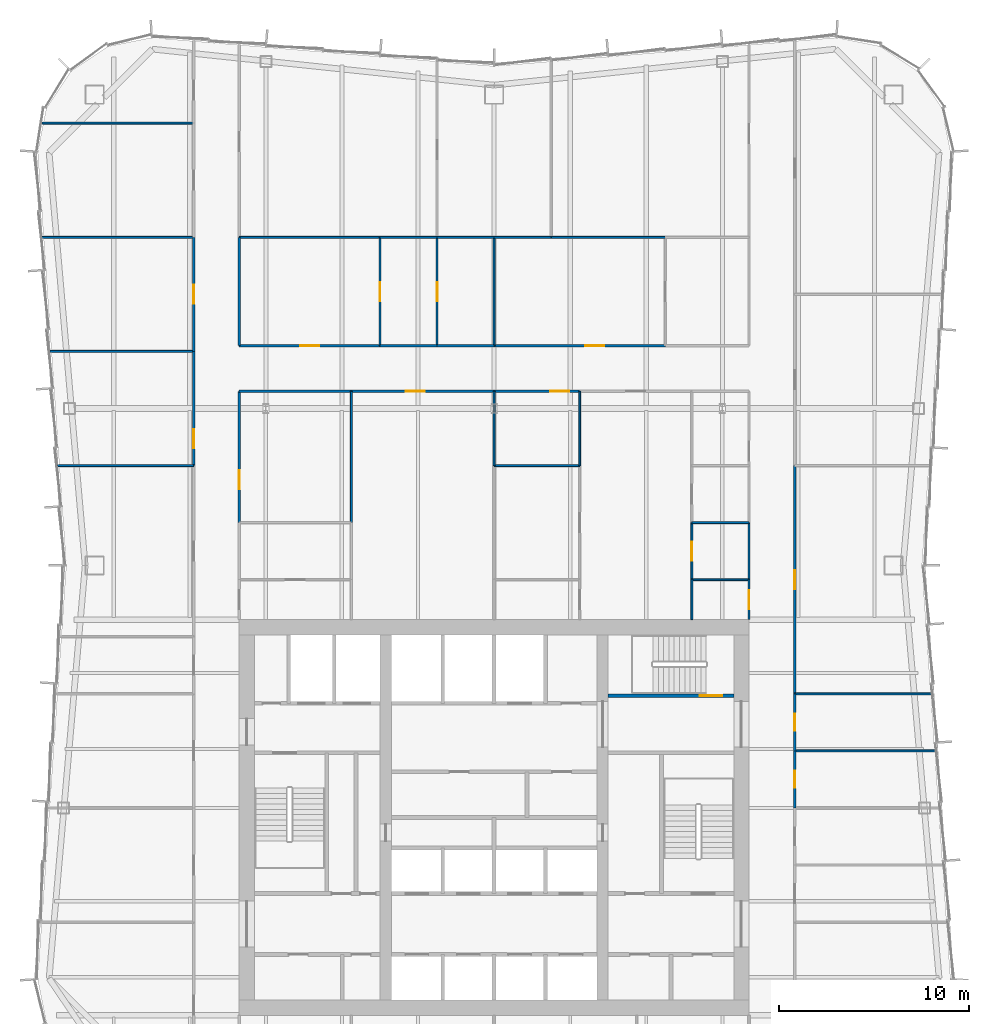
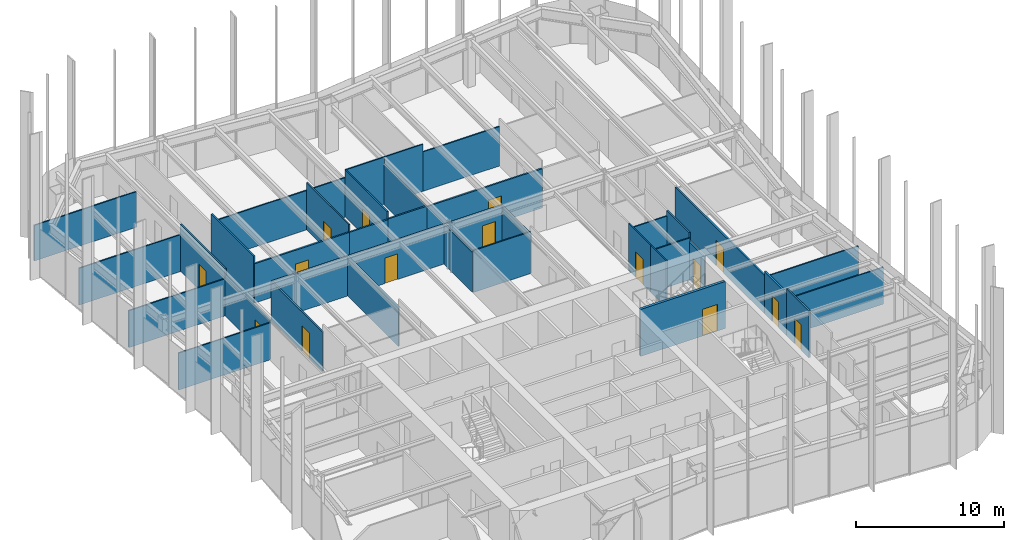
# One storey, part 13 of 15: 39 walls, 15 doors, 15 openings.
"""IFC4 building model written with IfcOpenShell, lengths in metres."""

from ifc_helpers import new_model, si_unit, direction, frame, frame_2d, origin, place, context, subcontext, project, spatial, rectangle, extrude, material, layer, layer_set, type_object, element, fill, save


model = new_model("IFC4")

# Units and contexts
model_context = context("Model", 3, precision=1e-05, world=origin(), true_north=direction((0.0, 1.0)))
body_context = subcontext(model_context, "Body", "Model", "MODEL_VIEW")
ifc_project = project(units=[si_unit("LENGTHUNIT", "METRE"), si_unit("AREAUNIT", "SQUARE_METRE"), si_unit("VOLUMEUNIT", "CUBIC_METRE"), si_unit("PLANEANGLEUNIT", "RADIAN"), si_unit("MASSUNIT", "GRAM", prefix="KILO")], contexts=[model_context])

# Site, building, storey
site_placement = place(None, origin())
site = spatial("IfcSite", under=ifc_project, at=site_placement, CompositionType="ELEMENT")
building_placement = place(site_placement, origin())
building = spatial("IfcBuilding", under=site, at=building_placement, Name="Verdant Reach Tower", CompositionType="ELEMENT")
storey_placement = place(building_placement, frame((0.0, 0.0, 262.0)))
storey = spatial("IfcBuildingStorey", under=building, at=storey_placement, Name="L60", CompositionType="ELEMENT", Elevation=262.0)

# Wall, opening, door
ifc_material_1 = material(Name="Concrete C40/50", Category="concrete")
ifc_layer_1 = layer(ifc_material_1, 0.199951171875)
ifc_layer_set_1 = layer_set([ifc_layer_1], Name="CO-WALL-STAIR")
wall_type_1 = type_object("IfcWallType", Name="CO-WALL-STAIR", PredefinedType="PARTITIONING", material=ifc_layer_set_1)
wall_1_placement = place(storey_placement, frame((6.0, 34.39990234375, 0.0), z_axis=(0.0, 0.0, 1.0), x_axis=(1.0, 0.0, 0.0)))
wall_1 = element("IfcWall", 1, at=wall_1_placement, inside=storey, type_object=wall_type_1, Name="Stair enclosure wall, L60", PredefinedType="PARTITIONING", context=body_context, shape_type="SweptSolid", body=[
    extrude(rectangle(XDim=6.60009765625, YDim=0.199951171875, at=frame_2d((3.300048828125, 0.0))), origin(), (0.0, 0.0, 1.0), 3.8701171875),
])
opening_1_placement = place(wall_1_placement, frame((4.800048828125, 0.0, 0.0)))
opening_1 = element("IfcOpeningElement", 2, at=opening_1_placement, cuts=wall_1, Name="Opening SD", PredefinedType="OPENING", context=body_context, shape_type="SweptSolid", body=[
    extrude(rectangle(XDim=1.199951171875, YDim=2.199951171875, at=frame_2d((0.60009765625, 1.10009765625))), frame((0.0, 0.10986328125, 0.0), z_axis=(0.0, -1.0, 0.0), x_axis=(1.0, 0.0, 0.0)), (0.0, 0.0, 1.0), 0.219970703125),
])
ifc_material_2 = material(Name="Steel", Category="steel")
door_type_1 = type_object("IfcDoorType", Name="CO-DOOR-STAIR", OperationType="NOTDEFINED", PredefinedType="DOOR", material=ifc_material_2)
door_1_placement = place(opening_1_placement, origin())
door_1 = element("IfcDoor", 3, at=door_1_placement, inside=storey, type_object=door_type_1, Name="Stair door, L60", OperationType="SINGLE_SWING_RIGHT", OverallHeight=2.199951171875, OverallWidth=1.199951171875, PredefinedType="DOOR", context=body_context, shape_type="SweptSolid", body=[
    extrude(rectangle(XDim=1.199951171875, YDim=2.199951171875, at=frame_2d((0.60009765625, 1.10009765625))), frame((0.0, 0.02490234375, 0.0), z_axis=(0.0, -1.0, 0.0), x_axis=(1.0, 0.0, 0.0)), (0.0, 0.0, 1.0), 0.050048828125),
])
fill(opening_1, door_1)

# Walls
ifc_material_3 = material(Name="Gypsum board on steel studs", Category="steel")
ifc_layer_2 = layer(ifc_material_3, 0.10009765625)
ifc_layer_set_2 = layer_set([ifc_layer_2], Name="FL-W1 Partition 100")
wall_type_2 = type_object("IfcWallType", Name="FL-W1 Partition 100", PredefinedType="PARTITIONING", material=ifc_layer_set_2)
wall_2_placement = place(storey_placement, frame((-15.800048828125, 46.5, 0.0), z_axis=(0.0, 0.0, 1.0), x_axis=(-1.0, 0.0, 0.0)))
element("IfcWall", 4, at=wall_2_placement, inside=storey, type_object=wall_type_2, Name="Partition 60.45", PredefinedType="PARTITIONING", context=body_context, shape_type="SweptSolid", body=[
    extrude(rectangle(XDim=7.14208984375, YDim=0.10009765625, at=frame_2d((3.571044921875, 0.0))), origin(), (0.0, 0.0, 1.0), 3.0400390625),
])
wall_3_placement = place(storey_placement, frame((-15.800048828125, 52.5, 0.0), z_axis=(0.0, 0.0, 1.0), x_axis=(-1.0, 0.0, 0.0)))
element("IfcWall", 5, at=wall_3_placement, inside=storey, type_object=wall_type_2, Name="Partition 60.46", PredefinedType="PARTITIONING", context=body_context, shape_type="SweptSolid", body=[
    extrude(rectangle(XDim=7.555908203125, YDim=0.10009765625, at=frame_2d((3.77783203125, 0.0))), origin(), (0.0, 0.0, 1.0), 3.0400390625),
])
wall_4_placement = place(storey_placement, frame((-15.800048828125, 58.5, 0.0), z_axis=(0.0, 0.0, 1.0), x_axis=(-1.0, 0.0, 0.0)))
element("IfcWall", 6, at=wall_4_placement, inside=storey, type_object=wall_type_2, Name="Partition 60.47", PredefinedType="PARTITIONING", context=body_context, shape_type="SweptSolid", body=[
    extrude(rectangle(XDim=7.9697265625, YDim=0.10009765625, at=frame_2d((3.98486328125, 0.0))), origin(), (0.0, 0.0, 1.0), 3.0400390625),
])
wall_5_placement = place(storey_placement, frame((-15.800048828125, 64.5, 0.0), z_axis=(0.0, 0.0, 1.0), x_axis=(-1.0, 0.0, 0.0)))
element("IfcWall", 7, at=wall_5_placement, inside=storey, type_object=wall_type_2, Name="Partition 60.48", PredefinedType="PARTITIONING", context=body_context, shape_type="SweptSolid", body=[
    extrude(rectangle(XDim=7.9814453125, YDim=0.10009765625, at=frame_2d((3.99072265625, 0.0))), origin(), (0.0, 0.0, 1.0), 2.929931640625),
])
wall_6_placement = place(storey_placement, frame((23.25244140625, 31.5, 0.0), z_axis=(0.0, 0.0, 1.0), x_axis=(-1.0, 0.0, 0.0)))
element("IfcWall", 8, at=wall_6_placement, inside=storey, type_object=wall_type_2, Name="Partition 60.52", PredefinedType="PARTITIONING", context=body_context, shape_type="SweptSolid", body=[
    extrude(rectangle(XDim=7.452392578125, YDim=0.10009765625, at=frame_2d((3.72607421875, 0.0))), origin(), (0.0, 0.0, 1.0), 3.0400390625),
])
wall_7_placement = place(storey_placement, frame((23.04541015625, 34.5, 0.0), z_axis=(0.0, 0.0, 1.0), x_axis=(-1.0, 0.0, 0.0)))
element("IfcWall", 9, at=wall_7_placement, inside=storey, type_object=wall_type_2, Name="Partition 60.53", PredefinedType="PARTITIONING", context=body_context, shape_type="SweptSolid", body=[
    extrude(rectangle(XDim=7.245361328125, YDim=0.10009765625, at=frame_2d((3.62255859375, 0.0))), origin(), (0.0, 0.0, 1.0), 3.0400390625),
])
wall_8_placement = place(storey_placement, frame((-7.5, 43.49609375, 0.0), z_axis=(0.0, 0.0, 1.0), x_axis=(0.0, 1.0, 0.0)))
element("IfcWall", 10, at=wall_8_placement, inside=storey, type_object=wall_type_2, Name="Partition 60.63", PredefinedType="PARTITIONING", context=body_context, shape_type="SweptSolid", body=[
    extrude(rectangle(XDim=6.90380859375, YDim=0.10009765625, at=frame_2d((3.451904296875, 0.0))), origin(), (0.0, 0.0, 1.0), 3.239990234375),
])
wall_9_placement = place(storey_placement, frame((0.0, 46.5, 0.0), z_axis=(0.0, 0.0, 1.0), x_axis=(0.0, 1.0, 0.0)))
element("IfcWall", 11, at=wall_9_placement, inside=storey, type_object=wall_type_2, Name="Partition 60.66", PredefinedType="PARTITIONING", context=body_context, shape_type="SweptSolid", body=[
    extrude(rectangle(XDim=3.89990234375, YDim=0.10009765625, at=frame_2d((1.949951171875, 0.0))), origin(), (0.0, 0.0, 1.0), 3.2900390625),
])
wall_10_placement = place(storey_placement, frame((13.39990234375, 40.5, 0.0), z_axis=(0.0, 0.0, 1.0), x_axis=(-1.0, 0.0, 0.0)))
element("IfcWall", 12, at=wall_10_placement, inside=storey, type_object=wall_type_2, Name="Partition 60.67", PredefinedType="PARTITIONING", context=body_context, shape_type="SweptSolid", body=[
    extrude(rectangle(XDim=3.0, YDim=0.10009765625, at=frame_2d((1.5, 0.0))), origin(), (0.0, 0.0, 1.0), 3.43994140625),
])
wall_11_placement = place(storey_placement, frame((10.39990234375, 40.50390625, 0.0), z_axis=(0.0, 0.0, 1.0), x_axis=(0.0, -1.0, 0.0)))
element("IfcWall", 13, at=wall_11_placement, inside=storey, type_object=wall_type_2, Name="Partition 60.68", PredefinedType="PARTITIONING", context=body_context, shape_type="SweptSolid", body=[
    extrude(rectangle(XDim=2.10400390625, YDim=0.10009765625, at=frame_2d((1.052001953125, 0.0))), origin(), (0.0, 0.0, 1.0), 3.8701171875),
])
wall_12_placement = place(storey_placement, frame((13.39990234375, 43.5, 0.0), z_axis=(0.0, 0.0, 1.0), x_axis=(-1.0, 0.0, 0.0)))
element("IfcWall", 14, at=wall_12_placement, inside=storey, type_object=wall_type_2, Name="Partition 60.69", PredefinedType="PARTITIONING", context=body_context, shape_type="SweptSolid", body=[
    extrude(rectangle(XDim=3.0, YDim=0.10009765625, at=frame_2d((1.5, 0.0))), origin(), (0.0, 0.0, 1.0), 3.43994140625),
])

# Wall, opening, door
wall_13_placement = place(storey_placement, frame((10.39990234375, 43.50390625, 0.0), z_axis=(0.0, 0.0, 1.0), x_axis=(0.0, -1.0, 0.0)))
wall_13 = element("IfcWall", 15, at=wall_13_placement, inside=storey, type_object=wall_type_2, Name="Partition 60.70", PredefinedType="PARTITIONING", context=body_context, shape_type="SweptSolid", body=[
    extrude(rectangle(XDim=3.0078125, YDim=0.10009765625, at=frame_2d((1.50390625, 0.0))), origin(), (0.0, 0.0, 1.0), 3.8701171875),
])
opening_2_placement = place(wall_13_placement, frame((1.00390625, 0.0, 0.0)))
opening_2 = element("IfcOpeningElement", 16, at=opening_2_placement, cuts=wall_13, Name="Opening D3", PredefinedType="OPENING", context=body_context, shape_type="SweptSolid", body=[
    extrude(rectangle(XDim=1.0, YDim=2.10009765625, at=frame_2d((0.5, 1.050048828125))), frame((0.0, 0.06005859375, 0.0), z_axis=(0.0, -1.0, 0.0), x_axis=(1.0, 0.0, 0.0)), (0.0, 0.0, 1.0), 0.1201171875),
])
ifc_material_4 = material(Name="Painted timber door leaf", Category="wood")
door_type_2 = type_object("IfcDoorType", Name="FL-D3 Door 1000x2100", OperationType="NOTDEFINED", PredefinedType="DOOR", material=ifc_material_4)
door_2_placement = place(opening_2_placement, origin())
door_2 = element("IfcDoor", 17, at=door_2_placement, inside=storey, type_object=door_type_2, Name="Door 60-034", OperationType="SINGLE_SWING_RIGHT", OverallHeight=2.10009765625, OverallWidth=1.0, PredefinedType="DOOR", context=body_context, shape_type="SweptSolid", body=[
    extrude(rectangle(XDim=1.0, YDim=2.10009765625, at=frame_2d((0.5, 1.050048828125))), frame((0.0, 0.02490234375, 0.0), z_axis=(0.0, -1.0, 0.0), x_axis=(1.0, 0.0, 0.0)), (0.0, 0.0, 1.0), 0.050048828125),
])
fill(opening_2, door_2)

# Walls
wall_14_placement = place(storey_placement, frame((4.5, 50.39990234375, 0.0), z_axis=(0.0, 0.0, 1.0), x_axis=(0.0, -1.0, 0.0)))
element("IfcWall", 18, at=wall_14_placement, inside=storey, type_object=wall_type_2, Name="Partition 60.76", PredefinedType="PARTITIONING", context=body_context, shape_type="SweptSolid", body=[
    extrude(rectangle(XDim=3.89990234375, YDim=0.10009765625, at=frame_2d((1.949951171875, 0.0))), origin(), (0.0, 0.0, 1.0), 3.239990234375),
])
wall_15_placement = place(storey_placement, frame((4.5, 46.5, 0.0), z_axis=(0.0, 0.0, 1.0), x_axis=(-1.0, 0.0, 0.0)))
element("IfcWall", 19, at=wall_15_placement, inside=storey, type_object=wall_type_2, Name="Partition 60.78", PredefinedType="PARTITIONING", context=body_context, shape_type="SweptSolid", body=[
    extrude(rectangle(XDim=4.5, YDim=0.10009765625, at=frame_2d((2.25, 0.0))), origin(), (0.0, 0.0, 1.0), 3.43994140625),
])

# Wall, opening, door
wall_16_placement = place(storey_placement, frame((-6.0, 58.5, 0.0), z_axis=(0.0, 0.0, 1.0), x_axis=(0.0, -1.0, 0.0)))
wall_16 = element("IfcWall", 20, at=wall_16_placement, inside=storey, type_object=wall_type_2, Name="Partition 60.79", PredefinedType="PARTITIONING", context=body_context, shape_type="SweptSolid", body=[
    extrude(rectangle(XDim=5.699951171875, YDim=0.10009765625, at=frame_2d((2.85009765625, 0.0))), origin(), (0.0, 0.0, 1.0), 3.8701171875),
])
opening_3_placement = place(wall_16_placement, frame((2.35009765625, 0.0, 0.0)))
opening_3 = element("IfcOpeningElement", 21, at=opening_3_placement, cuts=wall_16, Name="Opening D3", PredefinedType="OPENING", context=body_context, shape_type="SweptSolid", body=[
    extrude(rectangle(XDim=1.0, YDim=2.10009765625, at=frame_2d((0.5, 1.050048828125))), frame((0.0, 0.06005859375, 0.0), z_axis=(0.0, -1.0, 0.0), x_axis=(1.0, 0.0, 0.0)), (0.0, 0.0, 1.0), 0.1201171875),
])
door_3_placement = place(opening_3_placement, origin())
door_3 = element("IfcDoor", 22, at=door_3_placement, inside=storey, type_object=door_type_2, Name="Door 60-038", OperationType="SINGLE_SWING_RIGHT", OverallHeight=2.10009765625, OverallWidth=1.0, PredefinedType="DOOR", context=body_context, shape_type="SweptSolid", body=[
    extrude(rectangle(XDim=1.0, YDim=2.10009765625, at=frame_2d((0.5, 1.050048828125))), frame((0.0, 0.02490234375, 0.0), z_axis=(0.0, -1.0, 0.0), x_axis=(1.0, 0.0, 0.0)), (0.0, 0.0, 1.0), 0.050048828125),
])
fill(opening_3, door_3)

# Wall
wall_17_placement = place(storey_placement, frame((-5.99609375, 58.5, 0.0), z_axis=(0.0, 0.0, 1.0), x_axis=(-1.0, 0.0, 0.0)))
element("IfcWall", 23, at=wall_17_placement, inside=storey, type_object=wall_type_2, Name="Partition 60.80", PredefinedType="PARTITIONING", context=body_context, shape_type="SweptSolid", body=[
    extrude(rectangle(XDim=7.40380859375, YDim=0.10009765625, at=frame_2d((3.701904296875, 0.0))), origin(), (0.0, 0.0, 1.0), 3.239990234375),
])

# Wall, opening, door
wall_18_placement = place(storey_placement, frame((-3.0, 58.5, 0.0), z_axis=(0.0, 0.0, 1.0), x_axis=(0.0, -1.0, 0.0)))
wall_18 = element("IfcWall", 24, at=wall_18_placement, inside=storey, type_object=wall_type_2, Name="Partition 60.81", PredefinedType="PARTITIONING", context=body_context, shape_type="SweptSolid", body=[
    extrude(rectangle(XDim=5.699951171875, YDim=0.10009765625, at=frame_2d((2.85009765625, 0.0))), origin(), (0.0, 0.0, 1.0), 3.8701171875),
])
opening_4_placement = place(wall_18_placement, frame((2.35009765625, 0.0, 0.0)))
opening_4 = element("IfcOpeningElement", 25, at=opening_4_placement, cuts=wall_18, Name="Opening D3", PredefinedType="OPENING", context=body_context, shape_type="SweptSolid", body=[
    extrude(rectangle(XDim=1.0, YDim=2.10009765625, at=frame_2d((0.5, 1.050048828125))), frame((0.0, 0.06005859375, 0.0), z_axis=(0.0, -1.0, 0.0), x_axis=(1.0, 0.0, 0.0)), (0.0, 0.0, 1.0), 0.1201171875),
])
door_4_placement = place(opening_4_placement, origin())
door_4 = element("IfcDoor", 26, at=door_4_placement, inside=storey, type_object=door_type_2, Name="Door 60-039", OperationType="SINGLE_SWING_LEFT", OverallHeight=2.10009765625, OverallWidth=1.0, PredefinedType="DOOR", context=body_context, shape_type="SweptSolid", body=[
    extrude(rectangle(XDim=1.0, YDim=2.10009765625, at=frame_2d((0.5, 1.050048828125))), frame((0.0, 0.02490234375, 0.0), z_axis=(0.0, -1.0, 0.0), x_axis=(1.0, 0.0, 0.0)), (0.0, 0.0, 1.0), 0.050048828125),
])
fill(opening_4, door_4)

# Walls
wall_19_placement = place(storey_placement, frame((-3.0, 58.5, 0.0), z_axis=(0.0, 0.0, 1.0), x_axis=(-1.0, 0.0, 0.0)))
element("IfcWall", 27, at=wall_19_placement, inside=storey, type_object=wall_type_2, Name="Partition 60.82", PredefinedType="PARTITIONING", context=body_context, shape_type="SweptSolid", body=[
    extrude(rectangle(XDim=3.00390625, YDim=0.10009765625, at=frame_2d((1.501953125, 0.0))), origin(), (0.0, 0.0, 1.0), 3.239990234375),
])
wall_20_placement = place(storey_placement, frame((0.0, 52.800048828125, 0.0), z_axis=(0.0, 0.0, 1.0), x_axis=(0.0, 1.0, 0.0)))
element("IfcWall", 28, at=wall_20_placement, inside=storey, type_object=wall_type_2, Name="Partition 60.83", PredefinedType="PARTITIONING", context=body_context, shape_type="SweptSolid", body=[
    extrude(rectangle(XDim=5.699951171875, YDim=0.10009765625, at=frame_2d((2.85009765625, 0.0))), origin(), (0.0, 0.0, 1.0), 3.2900390625),
])
for number, where, z_axis, x_axis, name in (
    (29, (0.00390625, 58.5, 0.0), (0.0, 0.0, 1.0), (-1.0, 0.0, 0.0), "Partition 60.84"),
    (30, (3.0, 58.5, 0.0), (0.0, 0.0, 1.0), (-1.0, 0.0, 0.0), "Partition 60.86"),
):
    element("IfcWall", number, at=place(storey_placement, frame(where, z_axis=z_axis, x_axis=x_axis)), inside=storey, type_object=wall_type_2, Name=name, PredefinedType="PARTITIONING", context=body_context, shape_type="SweptSolid", body=[
        extrude(rectangle(XDim=3.00390625, YDim=0.10009765625, at=frame_2d((1.501953125, 0.0))), origin(), (0.0, 0.0, 1.0), 3.8701171875),
    ])
wall_21_placement = place(storey_placement, frame((9.00390625, 58.5, 0.0), z_axis=(0.0, 0.0, 1.0), x_axis=(-1.0, 0.0, 0.0)))
element("IfcWall", 31, at=wall_21_placement, inside=storey, type_object=wall_type_2, Name="Partition 60.87", PredefinedType="PARTITIONING", context=body_context, shape_type="SweptSolid", body=[
    extrude(rectangle(XDim=6.00390625, YDim=0.10009765625, at=frame_2d((3.001953125, 0.0))), origin(), (0.0, 0.0, 1.0), 3.239990234375),
])

# Wall, opening, door
ifc_material_5 = material(Name="Gypsum board on steel studs, fire rated", Category="steel")
ifc_layer_3 = layer(ifc_material_5, 0.125)
ifc_layer_set_3 = layer_set([ifc_layer_3], Name="FL-W2 Corridor wall 125")
wall_type_3 = type_object("IfcWallType", Name="FL-W2 Corridor wall 125", PredefinedType="PARTITIONING", material=ifc_layer_set_3)
wall_22_placement = place(storey_placement, frame((-15.800048828125, 46.5, 0.0), z_axis=(0.0, 0.0, 1.0), x_axis=(0.0, 1.0, 0.0)))
wall_22 = element("IfcWall", 32, at=wall_22_placement, inside=storey, type_object=wall_type_3, Name="Partition 60.06", PredefinedType="PARTITIONING", context=body_context, shape_type="SweptSolid", body=[
    extrude(rectangle(XDim=6.0, YDim=0.125, at=frame_2d((3.0, 0.0))), origin(), (0.0, 0.0, 1.0), 3.239990234375),
])
opening_5_placement = place(wall_22_placement, frame((0.89990234375, 0.0, 0.0)))
opening_5 = element("IfcOpeningElement", 33, at=opening_5_placement, cuts=wall_22, Name="Opening D2", PredefinedType="OPENING", context=body_context, shape_type="SweptSolid", body=[
    extrude(rectangle(XDim=1.0, YDim=2.10009765625, at=frame_2d((0.5, 1.050048828125))), frame((0.0, 0.072509765625, 0.0), z_axis=(0.0, -1.0, 0.0), x_axis=(1.0, 0.0, 0.0)), (0.0, 0.0, 1.0), 0.14501953125),
])
ifc_material_6 = material(Name="Timber door leaf, fire rated", Category="wood")
door_type_3 = type_object("IfcDoorType", Name="FL-D2 Entrance door 1000x2100 FD30", OperationType="NOTDEFINED", PredefinedType="DOOR", material=ifc_material_6)
door_5_placement = place(opening_5_placement, origin())
door_5 = element("IfcDoor", 34, at=door_5_placement, inside=storey, type_object=door_type_3, Name="Door 60-006", OperationType="SINGLE_SWING_LEFT", OverallHeight=2.10009765625, OverallWidth=1.0, PredefinedType="DOOR", context=body_context, shape_type="SweptSolid", body=[
    extrude(rectangle(XDim=1.0, YDim=2.10009765625, at=frame_2d((0.5, 1.050048828125))), frame((0.0, 0.02490234375, 0.0), z_axis=(0.0, -1.0, 0.0), x_axis=(1.0, 0.0, 0.0)), (0.0, 0.0, 1.0), 0.050048828125),
])
fill(opening_5, door_5)

wall_23_placement = place(storey_placement, frame((-15.800048828125, 52.5, 0.0), z_axis=(0.0, 0.0, 1.0), x_axis=(0.0, 1.0, 0.0)))
wall_23 = element("IfcWall", 35, at=wall_23_placement, inside=storey, type_object=wall_type_3, Name="Partition 60.07", PredefinedType="PARTITIONING", context=body_context, shape_type="SweptSolid", body=[
    extrude(rectangle(XDim=6.0, YDim=0.125, at=frame_2d((3.0, 0.0))), origin(), (0.0, 0.0, 1.0), 3.8701171875),
])
opening_6_placement = place(wall_23_placement, frame((2.5, 0.0, 0.0)))
opening_6 = element("IfcOpeningElement", 36, at=opening_6_placement, cuts=wall_23, Name="Opening D2", PredefinedType="OPENING", context=body_context, shape_type="SweptSolid", body=[
    extrude(rectangle(XDim=1.0, YDim=2.10009765625, at=frame_2d((0.5, 1.050048828125))), frame((0.0, 0.072509765625, 0.0), z_axis=(0.0, -1.0, 0.0), x_axis=(1.0, 0.0, 0.0)), (0.0, 0.0, 1.0), 0.14501953125),
])
door_6_placement = place(opening_6_placement, origin())
door_6 = element("IfcDoor", 37, at=door_6_placement, inside=storey, type_object=door_type_3, Name="Door 60-007", OperationType="SINGLE_SWING_LEFT", OverallHeight=2.10009765625, OverallWidth=1.0, PredefinedType="DOOR", context=body_context, shape_type="SweptSolid", body=[
    extrude(rectangle(XDim=1.0, YDim=2.10009765625, at=frame_2d((0.5, 1.050048828125))), frame((0.0, 0.02490234375, 0.0), z_axis=(0.0, -1.0, 0.0), x_axis=(1.0, 0.0, 0.0)), (0.0, 0.0, 1.0), 0.050048828125),
])
fill(opening_6, door_6)

wall_24_placement = place(storey_placement, frame((15.800048828125, 31.5, 0.0), z_axis=(0.0, 0.0, 1.0), x_axis=(0.0, -1.0, 0.0)))
wall_24 = element("IfcWall", 38, at=wall_24_placement, inside=storey, type_object=wall_type_3, Name="Partition 60.13", PredefinedType="PARTITIONING", context=body_context, shape_type="SweptSolid", body=[
    extrude(rectangle(XDim=3.0, YDim=0.125, at=frame_2d((1.5, 0.0))), origin(), (0.0, 0.0, 1.0), 3.8701171875),
])
opening_7_placement = place(wall_24_placement, frame((1.050048828125, 0.0, 0.0)))
opening_7 = element("IfcOpeningElement", 39, at=opening_7_placement, cuts=wall_24, Name="Opening D1", PredefinedType="OPENING", context=body_context, shape_type="SweptSolid", body=[
    extrude(rectangle(XDim=0.89990234375, YDim=2.10009765625, at=frame_2d((0.449951171875, 1.050048828125))), frame((0.0, 0.072509765625, 0.0), z_axis=(0.0, -1.0, 0.0), x_axis=(1.0, 0.0, 0.0)), (0.0, 0.0, 1.0), 0.14501953125),
])
door_type_4 = type_object("IfcDoorType", Name="FL-D1 Door 900x2100", OperationType="NOTDEFINED", PredefinedType="DOOR", material=ifc_material_4)
door_7_placement = place(opening_7_placement, origin())
door_7 = element("IfcDoor", 40, at=door_7_placement, inside=storey, type_object=door_type_4, Name="Door 60-013", OperationType="SINGLE_SWING_LEFT", OverallHeight=2.10009765625, OverallWidth=0.89990234375, PredefinedType="DOOR", context=body_context, shape_type="SweptSolid", body=[
    extrude(rectangle(XDim=0.89990234375, YDim=2.10009765625, at=frame_2d((0.449951171875, 1.050048828125))), frame((0.0, 0.02490234375, 0.0), z_axis=(0.0, -1.0, 0.0), x_axis=(1.0, 0.0, 0.0)), (0.0, 0.0, 1.0), 0.050048828125),
])
fill(opening_7, door_7)

wall_25_placement = place(storey_placement, frame((15.800048828125, 34.5, 0.0), z_axis=(0.0, 0.0, 1.0), x_axis=(0.0, -1.0, 0.0)))
wall_25 = element("IfcWall", 41, at=wall_25_placement, inside=storey, type_object=wall_type_3, Name="Partition 60.14", PredefinedType="PARTITIONING", context=body_context, shape_type="SweptSolid", body=[
    extrude(rectangle(XDim=3.0, YDim=0.125, at=frame_2d((1.5, 0.0))), origin(), (0.0, 0.0, 1.0), 3.47998046875),
])
opening_8_placement = place(wall_25_placement, frame((1.050048828125, 0.0, 0.0)))
opening_8 = element("IfcOpeningElement", 42, at=opening_8_placement, cuts=wall_25, Name="Opening D1", PredefinedType="OPENING", context=body_context, shape_type="SweptSolid", body=[
    extrude(rectangle(XDim=0.89990234375, YDim=2.10009765625, at=frame_2d((0.449951171875, 1.050048828125))), frame((0.0, 0.072509765625, 0.0), z_axis=(0.0, -1.0, 0.0), x_axis=(1.0, 0.0, 0.0)), (0.0, 0.0, 1.0), 0.14501953125),
])
door_8_placement = place(opening_8_placement, origin())
door_8 = element("IfcDoor", 43, at=door_8_placement, inside=storey, type_object=door_type_4, Name="Door 60-014", OperationType="SINGLE_SWING_RIGHT", OverallHeight=2.10009765625, OverallWidth=0.89990234375, PredefinedType="DOOR", context=body_context, shape_type="SweptSolid", body=[
    extrude(rectangle(XDim=0.89990234375, YDim=2.10009765625, at=frame_2d((0.449951171875, 1.050048828125))), frame((0.0, 0.02490234375, 0.0), z_axis=(0.0, -1.0, 0.0), x_axis=(1.0, 0.0, 0.0)), (0.0, 0.0, 1.0), 0.050048828125),
])
fill(opening_8, door_8)

wall_26_placement = place(storey_placement, frame((15.800048828125, 46.5, 0.0), z_axis=(0.0, 0.0, 1.0), x_axis=(0.0, -1.0, 0.0)))
wall_26 = element("IfcWall", 44, at=wall_26_placement, inside=storey, type_object=wall_type_3, Name="Partition 60.15", PredefinedType="PARTITIONING", context=body_context, shape_type="SweptSolid", body=[
    extrude(rectangle(XDim=12.0, YDim=0.125, at=frame_2d((6.0, 0.0))), origin(), (0.0, 0.0, 1.0), 3.139892578125),
])
opening_9_placement = place(wall_26_placement, frame((5.5, 0.0, 0.0)))
opening_9 = element("IfcOpeningElement", 45, at=opening_9_placement, cuts=wall_26, Name="Opening D2", PredefinedType="OPENING", context=body_context, shape_type="SweptSolid", body=[
    extrude(rectangle(XDim=1.0, YDim=2.10009765625, at=frame_2d((0.5, 1.050048828125))), frame((0.0, 0.072509765625, 0.0), z_axis=(0.0, -1.0, 0.0), x_axis=(1.0, 0.0, 0.0)), (0.0, 0.0, 1.0), 0.14501953125),
])
door_9_placement = place(opening_9_placement, origin())
door_9 = element("IfcDoor", 46, at=door_9_placement, inside=storey, type_object=door_type_3, Name="Door 60-015", OperationType="SINGLE_SWING_LEFT", OverallHeight=2.10009765625, OverallWidth=1.0, PredefinedType="DOOR", context=body_context, shape_type="SweptSolid", body=[
    extrude(rectangle(XDim=1.0, YDim=2.10009765625, at=frame_2d((0.5, 1.050048828125))), frame((0.0, 0.02490234375, 0.0), z_axis=(0.0, -1.0, 0.0), x_axis=(1.0, 0.0, 0.0)), (0.0, 0.0, 1.0), 0.050048828125),
])
fill(opening_9, door_9)

wall_27_placement = place(storey_placement, frame((-13.39990234375, 50.39990234375, 0.0), z_axis=(0.0, 0.0, 1.0), x_axis=(0.0, -1.0, 0.0)))
wall_27 = element("IfcWall", 47, at=wall_27_placement, inside=storey, type_object=wall_type_3, Name="Partition 60.22", PredefinedType="PARTITIONING", context=body_context, shape_type="SweptSolid", body=[
    extrude(rectangle(XDim=6.89990234375, YDim=0.125, at=frame_2d((3.449951171875, 0.0))), origin(), (0.0, 0.0, 1.0), 3.239990234375),
])
opening_10_placement = place(wall_27_placement, frame((4.14990234375, 0.0, 0.0)))
opening_10 = element("IfcOpeningElement", 48, at=opening_10_placement, cuts=wall_27, Name="Opening D2", PredefinedType="OPENING", context=body_context, shape_type="SweptSolid", body=[
    extrude(rectangle(XDim=1.0, YDim=2.10009765625, at=frame_2d((0.5, 1.050048828125))), frame((0.0, 0.072509765625, 0.0), z_axis=(0.0, -1.0, 0.0), x_axis=(1.0, 0.0, 0.0)), (0.0, 0.0, 1.0), 0.14501953125),
])
door_10_placement = place(opening_10_placement, origin())
door_10 = element("IfcDoor", 49, at=door_10_placement, inside=storey, type_object=door_type_3, Name="Door 60-021", OperationType="SINGLE_SWING_RIGHT", OverallHeight=2.10009765625, OverallWidth=1.0, PredefinedType="DOOR", context=body_context, shape_type="SweptSolid", body=[
    extrude(rectangle(XDim=1.0, YDim=2.10009765625, at=frame_2d((0.5, 1.050048828125))), frame((0.0, 0.02490234375, 0.0), z_axis=(0.0, -1.0, 0.0), x_axis=(1.0, 0.0, 0.0)), (0.0, 0.0, 1.0), 0.050048828125),
])
fill(opening_10, door_10)

# Wall
wall_28_placement = place(storey_placement, frame((-7.5, 50.39990234375, 0.0), z_axis=(0.0, 0.0, 1.0), x_axis=(-1.0, 0.0, 0.0)))
element("IfcWall", 50, at=wall_28_placement, inside=storey, type_object=wall_type_3, Name="Partition 60.23", PredefinedType="PARTITIONING", context=body_context, shape_type="SweptSolid", body=[
    extrude(rectangle(XDim=5.89990234375, YDim=0.125, at=frame_2d((2.949951171875, 0.0))), origin(), (0.0, 0.0, 1.0), 3.239990234375),
])

# Wall, opening, door
wall_29_placement = place(storey_placement, frame((0.0, 50.39990234375, 0.0), z_axis=(0.0, 0.0, 1.0), x_axis=(-1.0, 0.0, 0.0)))
wall_29 = element("IfcWall", 51, at=wall_29_placement, inside=storey, type_object=wall_type_3, Name="Partition 60.24", PredefinedType="PARTITIONING", context=body_context, shape_type="SweptSolid", body=[
    extrude(rectangle(XDim=7.5, YDim=0.125, at=frame_2d((3.75, 0.0))), origin(), (0.0, 0.0, 1.0), 3.239990234375),
])
opening_11_placement = place(wall_29_placement, frame((3.64990234375, 0.0, 0.0)))
opening_11 = element("IfcOpeningElement", 52, at=opening_11_placement, cuts=wall_29, Name="Opening D2", PredefinedType="OPENING", context=body_context, shape_type="SweptSolid", body=[
    extrude(rectangle(XDim=1.0, YDim=2.10009765625, at=frame_2d((0.5, 1.050048828125))), frame((0.0, 0.072509765625, 0.0), z_axis=(0.0, -1.0, 0.0), x_axis=(1.0, 0.0, 0.0)), (0.0, 0.0, 1.0), 0.14501953125),
])
door_11_placement = place(opening_11_placement, origin())
door_11 = element("IfcDoor", 53, at=door_11_placement, inside=storey, type_object=door_type_3, Name="Door 60-022", OperationType="SINGLE_SWING_RIGHT", OverallHeight=2.10009765625, OverallWidth=1.0, PredefinedType="DOOR", context=body_context, shape_type="SweptSolid", body=[
    extrude(rectangle(XDim=1.0, YDim=2.10009765625, at=frame_2d((0.5, 1.050048828125))), frame((0.0, 0.02490234375, 0.0), z_axis=(0.0, -1.0, 0.0), x_axis=(1.0, 0.0, 0.0)), (0.0, 0.0, 1.0), 0.050048828125),
])
fill(opening_11, door_11)

wall_30_placement = place(storey_placement, frame((13.39990234375, 38.39990234375, 0.0), z_axis=(0.0, 0.0, 1.0), x_axis=(0.0, 1.0, 0.0)))
wall_30 = element("IfcWall", 54, at=wall_30_placement, inside=storey, type_object=wall_type_3, Name="Partition 60.25", PredefinedType="PARTITIONING", context=body_context, shape_type="SweptSolid", body=[
    extrude(rectangle(XDim=2.10009765625, YDim=0.125, at=frame_2d((1.050048828125, 0.0))), origin(), (0.0, 0.0, 1.0), 3.139892578125),
])
opening_12_placement = place(wall_30_placement, frame((0.550048828125, 0.0, 0.0)))
opening_12 = element("IfcOpeningElement", 55, at=opening_12_placement, cuts=wall_30, Name="Opening D2", PredefinedType="OPENING", context=body_context, shape_type="SweptSolid", body=[
    extrude(rectangle(XDim=1.0, YDim=2.10009765625, at=frame_2d((0.5, 1.050048828125))), frame((0.0, 0.072509765625, 0.0), z_axis=(0.0, -1.0, 0.0), x_axis=(1.0, 0.0, 0.0)), (0.0, 0.0, 1.0), 0.14501953125),
])
door_12_placement = place(opening_12_placement, origin())
door_12 = element("IfcDoor", 56, at=door_12_placement, inside=storey, type_object=door_type_3, Name="Door 60-023", OperationType="SINGLE_SWING_LEFT", OverallHeight=2.10009765625, OverallWidth=1.0, PredefinedType="DOOR", context=body_context, shape_type="SweptSolid", body=[
    extrude(rectangle(XDim=1.0, YDim=2.10009765625, at=frame_2d((0.5, 1.050048828125))), frame((0.0, 0.02490234375, 0.0), z_axis=(0.0, -1.0, 0.0), x_axis=(1.0, 0.0, 0.0)), (0.0, 0.0, 1.0), 0.050048828125),
])
fill(opening_12, door_12)

# Wall
wall_31_placement = place(storey_placement, frame((13.39990234375, 40.5, 0.0), z_axis=(0.0, 0.0, 1.0), x_axis=(0.0, 1.0, 0.0)))
element("IfcWall", 57, at=wall_31_placement, inside=storey, type_object=wall_type_3, Name="Partition 60.26", PredefinedType="PARTITIONING", context=body_context, shape_type="SweptSolid", body=[
    extrude(rectangle(XDim=3.0, YDim=0.125, at=frame_2d((1.5, 0.0))), origin(), (0.0, 0.0, 1.0), 3.8701171875),
])

# Wall, opening, door
wall_32_placement = place(storey_placement, frame((4.5, 50.39990234375, 0.0), z_axis=(0.0, 0.0, 1.0), x_axis=(-1.0, 0.0, 0.0)))
wall_32 = element("IfcWall", 58, at=wall_32_placement, inside=storey, type_object=wall_type_3, Name="Partition 60.31", PredefinedType="PARTITIONING", context=body_context, shape_type="SweptSolid", body=[
    extrude(rectangle(XDim=4.5, YDim=0.125, at=frame_2d((2.25, 0.0))), origin(), (0.0, 0.0, 1.0), 3.239990234375),
])
opening_13_placement = place(wall_32_placement, frame((0.550048828125, 0.0, 0.0)))
opening_13 = element("IfcOpeningElement", 59, at=opening_13_placement, cuts=wall_32, Name="Opening D2", PredefinedType="OPENING", context=body_context, shape_type="SweptSolid", body=[
    extrude(rectangle(XDim=1.0, YDim=2.10009765625, at=frame_2d((0.5, 1.050048828125))), frame((0.0, 0.072509765625, 0.0), z_axis=(0.0, -1.0, 0.0), x_axis=(1.0, 0.0, 0.0)), (0.0, 0.0, 1.0), 0.14501953125),
])
door_13_placement = place(opening_13_placement, origin())
door_13 = element("IfcDoor", 60, at=door_13_placement, inside=storey, type_object=door_type_3, Name="Door 60-026", OperationType="SINGLE_SWING_LEFT", OverallHeight=2.10009765625, OverallWidth=1.0, PredefinedType="DOOR", context=body_context, shape_type="SweptSolid", body=[
    extrude(rectangle(XDim=1.0, YDim=2.10009765625, at=frame_2d((0.5, 1.050048828125))), frame((0.0, 0.02490234375, 0.0), z_axis=(0.0, -1.0, 0.0), x_axis=(1.0, 0.0, 0.0)), (0.0, 0.0, 1.0), 0.050048828125),
])
fill(opening_13, door_13)

wall_33_placement = place(storey_placement, frame((-13.39990234375, 52.800048828125, 0.0), z_axis=(0.0, 0.0, 1.0), x_axis=(1.0, 0.0, 0.0)))
wall_33 = element("IfcWall", 61, at=wall_33_placement, inside=storey, type_object=wall_type_3, Name="Partition 60.32", PredefinedType="PARTITIONING", context=body_context, shape_type="SweptSolid", body=[
    extrude(rectangle(XDim=7.39990234375, YDim=0.125, at=frame_2d((3.699951171875, 0.0))), origin(), (0.0, 0.0, 1.0), 3.239990234375),
])
opening_14_placement = place(wall_33_placement, frame((3.199951171875, 0.0, 0.0)))
opening_14 = element("IfcOpeningElement", 62, at=opening_14_placement, cuts=wall_33, Name="Opening D2", PredefinedType="OPENING", context=body_context, shape_type="SweptSolid", body=[
    extrude(rectangle(XDim=1.0, YDim=2.10009765625, at=frame_2d((0.5, 1.050048828125))), frame((0.0, 0.072509765625, 0.0), z_axis=(0.0, -1.0, 0.0), x_axis=(1.0, 0.0, 0.0)), (0.0, 0.0, 1.0), 0.14501953125),
])
door_14_placement = place(opening_14_placement, origin())
door_14 = element("IfcDoor", 63, at=door_14_placement, inside=storey, type_object=door_type_3, Name="Door 60-027", OperationType="SINGLE_SWING_LEFT", OverallHeight=2.10009765625, OverallWidth=1.0, PredefinedType="DOOR", context=body_context, shape_type="SweptSolid", body=[
    extrude(rectangle(XDim=1.0, YDim=2.10009765625, at=frame_2d((0.5, 1.050048828125))), frame((0.0, 0.02490234375, 0.0), z_axis=(0.0, -1.0, 0.0), x_axis=(1.0, 0.0, 0.0)), (0.0, 0.0, 1.0), 0.050048828125),
])
fill(opening_14, door_14)

# Walls
wall_34_placement = place(storey_placement, frame((-13.39990234375, 52.800048828125, 0.0), z_axis=(0.0, 0.0, 1.0), x_axis=(0.0, 1.0, 0.0)))
element("IfcWall", 64, at=wall_34_placement, inside=storey, type_object=wall_type_3, Name="Partition 60.33", PredefinedType="PARTITIONING", context=body_context, shape_type="SweptSolid", body=[
    extrude(rectangle(XDim=5.699951171875, YDim=0.125, at=frame_2d((2.85009765625, 0.0))), origin(), (0.0, 0.0, 1.0), 3.8701171875),
])
wall_35_placement = place(storey_placement, frame((-3.0, 52.800048828125, 0.0), z_axis=(0.0, 0.0, 1.0), x_axis=(-1.0, 0.0, 0.0)))
element("IfcWall", 65, at=wall_35_placement, inside=storey, type_object=wall_type_3, Name="Partition 60.34", PredefinedType="PARTITIONING", context=body_context, shape_type="SweptSolid", body=[
    extrude(rectangle(XDim=3.0, YDim=0.125, at=frame_2d((1.5, 0.0))), origin(), (0.0, 0.0, 1.0), 3.239990234375),
])
wall_36_placement = place(storey_placement, frame((0.0, 52.800048828125, 0.0), z_axis=(0.0, 0.0, 1.0), x_axis=(-1.0, 0.0, 0.0)))
element("IfcWall", 66, at=wall_36_placement, inside=storey, type_object=wall_type_3, Name="Partition 60.35", PredefinedType="PARTITIONING", context=body_context, shape_type="SweptSolid", body=[
    extrude(rectangle(XDim=3.0, YDim=0.125, at=frame_2d((1.5, 0.0))), origin(), (0.0, 0.0, 1.0), 3.2900390625),
])

# Wall, opening, door
wall_37_placement = place(storey_placement, frame((0.0, 52.800048828125, 0.0), z_axis=(0.0, 0.0, 1.0), x_axis=(1.0, 0.0, 0.0)))
wall_37 = element("IfcWall", 67, at=wall_37_placement, inside=storey, type_object=wall_type_3, Name="Partition 60.36", PredefinedType="PARTITIONING", context=body_context, shape_type="SweptSolid", body=[
    extrude(rectangle(XDim=9.0, YDim=0.125, at=frame_2d((4.5, 0.0))), origin(), (0.0, 0.0, 1.0), 3.239990234375),
])
opening_15_placement = place(wall_37_placement, frame((4.800048828125, 0.0, 0.0)))
opening_15 = element("IfcOpeningElement", 68, at=opening_15_placement, cuts=wall_37, Name="Opening D2", PredefinedType="OPENING", context=body_context, shape_type="SweptSolid", body=[
    extrude(rectangle(XDim=1.0, YDim=2.10009765625, at=frame_2d((0.5, 1.050048828125))), frame((0.0, 0.072509765625, 0.0), z_axis=(0.0, -1.0, 0.0), x_axis=(1.0, 0.0, 0.0)), (0.0, 0.0, 1.0), 0.14501953125),
])
door_15_placement = place(opening_15_placement, origin())
door_15 = element("IfcDoor", 69, at=door_15_placement, inside=storey, type_object=door_type_3, Name="Door 60-028", OperationType="SINGLE_SWING_RIGHT", OverallHeight=2.10009765625, OverallWidth=1.0, PredefinedType="DOOR", context=body_context, shape_type="SweptSolid", body=[
    extrude(rectangle(XDim=1.0, YDim=2.10009765625, at=frame_2d((0.5, 1.050048828125))), frame((0.0, 0.02490234375, 0.0), z_axis=(0.0, -1.0, 0.0), x_axis=(1.0, 0.0, 0.0)), (0.0, 0.0, 1.0), 0.050048828125),
])
fill(opening_15, door_15)

save(model, "model.ifc")
